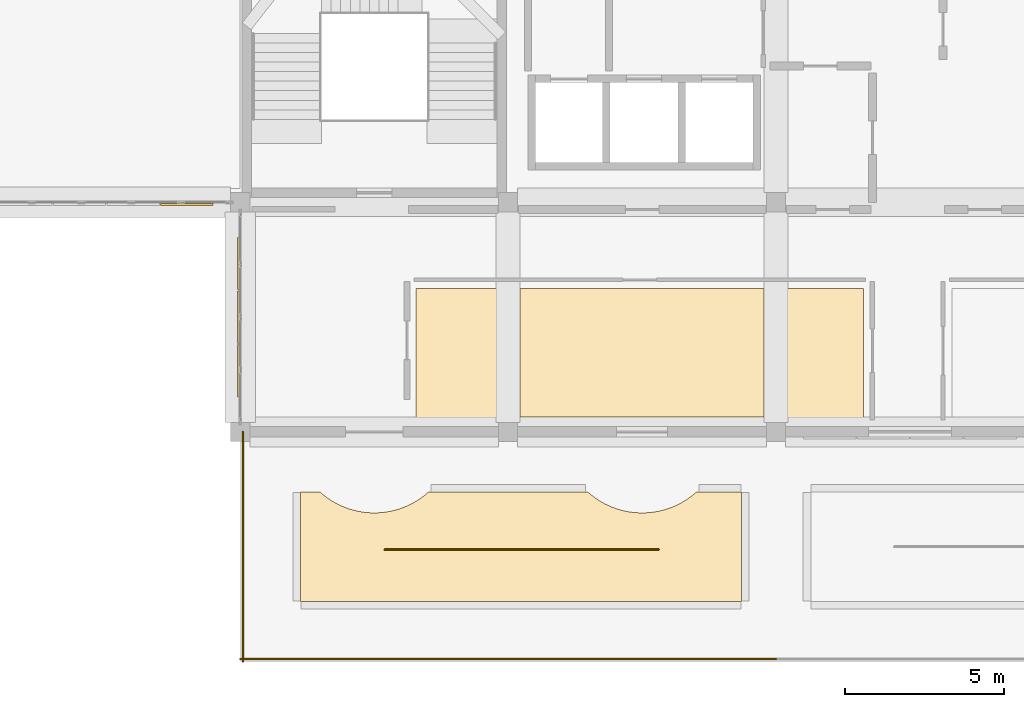
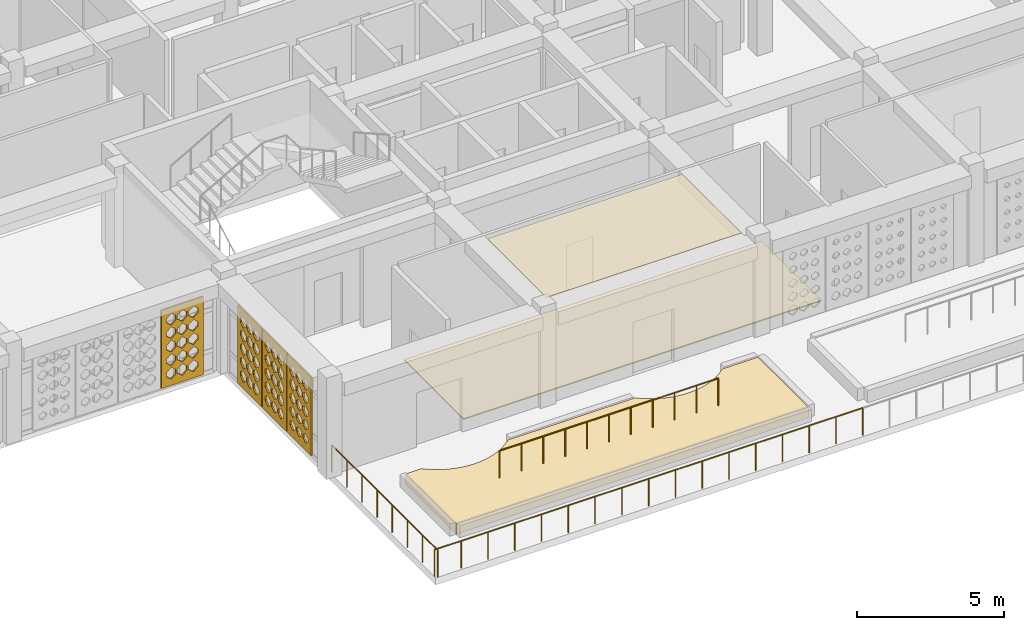
# One storey, part 35 of 48: 7 coverings, 4 railings.
"""IFC4 building model written with IfcOpenShell, lengths in metres."""

from ifc_helpers import new_model, si_unit, derived_unit, direction, frame, origin, origin_2d, place, context, subcontext, project, spatial, polyline, circle, outline, extrude, material, layer, layer_set, type_object, element, save


model = new_model("IFC4")

# Units and contexts
model_context = context("Model", 3, precision=1e-05, world=origin(), true_north=direction((0.0, 1.0)))
body_context = subcontext(model_context, "Body", "Model", "MODEL_VIEW")
ifc_project = project(units=[si_unit("LENGTHUNIT", "METRE"), si_unit("AREAUNIT", "SQUARE_METRE"), si_unit("VOLUMEUNIT", "CUBIC_METRE"), si_unit("PLANEANGLEUNIT", "RADIAN"), si_unit("MASSUNIT", "GRAM", prefix="KILO"), derived_unit("THERMALTRANSMITTANCEUNIT", [(si_unit("POWERUNIT", "WATT"), 1), (si_unit("LENGTHUNIT", "METRE"), -2), (si_unit("THERMODYNAMICTEMPERATUREUNIT", "KELVIN"), -1)])], contexts=[model_context])

# Site, building, storey
site_placement = place(None, origin())
site = spatial("IfcSite", under=ifc_project, at=site_placement, CompositionType="ELEMENT")
building_placement = place(site_placement, origin())
building = spatial("IfcBuilding", under=site, at=building_placement, Name="Veybourne Emporium", CompositionType="ELEMENT")
storey_placement = place(building_placement, frame((0.0, 0.0, 27.89990234375)))
storey = spatial("IfcBuildingStorey", under=building, at=storey_placement, Name="L06", CompositionType="ELEMENT", Elevation=27.89990234375)

# Coverings
ifc_material_1 = material(Name="Mineral Acoustic Ceiling", Category="gypsum")
ifc_layer_1 = layer(ifc_material_1, 0.02490234375)
ifc_layer_set_1 = layer_set([ifc_layer_1], Name="Mineral Acoustic Ceiling")
covering_type_1 = type_object("IfcCoveringType", Name="Ceiling_CLG-01", PredefinedType="CEILING", material=ifc_layer_set_1)
covering_1_placement = place(storey_placement, frame((0.0, 0.0, 3.885009765625)))
element("IfcCovering", 1, at=covering_1_placement, inside=storey, type_object=covering_type_1, Name="L06 coffered acoustic ceiling 01", PredefinedType="CEILING", context=body_context, shape_type="SweptSolid", body=[
    extrude(outline(polyline([(33.22705078125, 11.68994140625), (33.22705078125, 7.673095703125), (25.572998046875, 7.673095703125), (25.572998046875, 11.68994140625), (33.22705078125, 11.68994140625)])), origin(), (0.0, 0.0, 1.0), 0.025146484375),
])
ifc_material_2 = material(Name="Venetian Terrazzo Flooring", Category="masonry")
ifc_layer_2 = layer(ifc_material_2, 0.044921875)
ifc_layer_set_2 = layer_set([ifc_layer_2], Name="Venetian Terrazzo Flooring")
covering_type_2 = type_object("IfcCoveringType", Name="Flooring_FLR-01", PredefinedType="FLOORING", material=ifc_layer_set_2)
covering_2_placement = place(storey_placement, origin())
element("IfcCovering", 2, at=covering_2_placement, inside=storey, type_object=covering_type_2, Name="L06 floor finish 01", PredefinedType="FLOORING", context=body_context, shape_type="SweptSolid", body=[
    extrude(outline(polyline([(36.340087890625, 11.68994140625), (36.340087890625, 7.639892578125), (22.31005859375, 7.639892578125), (22.31005859375, 11.68994140625), (36.340087890625, 11.68994140625)])), origin(), (0.0, 0.0, 1.0), 0.045166015625),
])

# Railings
ifc_material_3 = material(Name="Patinated Architectural Bronze", Category="bronze")
railing_type = type_object("IfcRailingType", Name="Guard_GR-02", PredefinedType="GUARDRAIL", material=ifc_material_3)
railing_1_placement = place(storey_placement, frame((25.199951171875, 0.080078125, 0.0)))
element("IfcRailing", 3, at=railing_1_placement, inside=storey, type_object=railing_type, Name="L06 terrace perimeter guardrail 001", PredefinedType="GUARDRAIL", context=body_context, shape_type="SweptSolid", body=[
    extrude(circle(Radius=0.02392578125, at=origin_2d()), frame((0.0, 0.0, 1.1259765625), z_axis=(-1.0, 0.0, 0.0), x_axis=(0.0, -1.0, 0.0)), (0.0, 0.0, 1.0), 8.39990234375),
    extrude(circle(Radius=0.02099609375, at=origin_2d()), origin(), (0.0, 0.0, 1.0), 1.101806640625),
    extrude(circle(Radius=0.02099609375, at=origin_2d()), frame((-1.050048828125, 0.0, 0.0)), (0.0, 0.0, 1.0), 1.101806640625),
    extrude(circle(Radius=0.02099609375, at=origin_2d()), frame((-2.10009765625, 0.0, 0.0)), (0.0, 0.0, 1.0), 1.101806640625),
    extrude(circle(Radius=0.02099609375, at=origin_2d()), frame((-3.14990234375, 0.0, 0.0)), (0.0, 0.0, 1.0), 1.101806640625),
    extrude(circle(Radius=0.02099609375, at=origin_2d()), frame((-4.199951171875, 0.0, 0.0)), (0.0, 0.0, 1.0), 1.101806640625),
    extrude(circle(Radius=0.02099609375, at=origin_2d()), frame((-5.25, 0.0, 0.0)), (0.0, 0.0, 1.0), 1.101806640625),
    extrude(circle(Radius=0.02099609375, at=origin_2d()), frame((-6.2998046875, 0.0, 0.0)), (0.0, 0.0, 1.0), 1.101806640625),
    extrude(circle(Radius=0.02099609375, at=origin_2d()), frame((-7.349853515625, 0.0, 0.0)), (0.0, 0.0, 1.0), 1.101806640625),
    extrude(circle(Radius=0.02099609375, at=origin_2d()), frame((-8.39990234375, 0.0, 0.0)), (0.0, 0.0, 1.0), 1.101806640625),
])
railing_2_placement = place(storey_placement, frame((16.8798828125, 0.0, 0.0)))
element("IfcRailing", 4, at=railing_2_placement, inside=storey, type_object=railing_type, Name="L06 terrace perimeter guardrail 002", PredefinedType="GUARDRAIL", context=body_context, shape_type="SweptSolid", body=[
    extrude(circle(Radius=0.02392578125, at=origin_2d()), frame((0.0, 0.0, 1.1259765625), z_axis=(0.0, 1.0, 0.0), x_axis=(-1.0, 0.0, 0.0)), (0.0, 0.0, 1.0), 7.199951171875),
    extrude(circle(Radius=0.02099609375, at=origin_2d()), origin(), (0.0, 0.0, 1.0), 1.101806640625),
    extrude(circle(Radius=0.02099609375, at=origin_2d()), frame((0.0, 1.028564453125, 0.0)), (0.0, 0.0, 1.0), 1.101806640625),
    extrude(circle(Radius=0.02099609375, at=origin_2d()), frame((0.0, 2.05712890625, 0.0)), (0.0, 0.0, 1.0), 1.101806640625),
    extrude(circle(Radius=0.02099609375, at=origin_2d()), frame((0.0, 3.085693359375, 0.0)), (0.0, 0.0, 1.0), 1.101806640625),
    extrude(circle(Radius=0.02099609375, at=origin_2d()), frame((0.0, 4.1142578125, 0.0)), (0.0, 0.0, 1.0), 1.101806640625),
    extrude(circle(Radius=0.02099609375, at=origin_2d()), frame((0.0, 5.142822265625, 0.0)), (0.0, 0.0, 1.0), 1.101806640625),
    extrude(circle(Radius=0.02099609375, at=origin_2d()), frame((0.0, 6.17138671875, 0.0)), (0.0, 0.0, 1.0), 1.101806640625),
    extrude(circle(Radius=0.02099609375, at=origin_2d()), frame((0.0, 7.199951171875, 0.0)), (0.0, 0.0, 1.0), 1.101806640625),
])
railing_3_placement = place(storey_placement, frame((33.60009765625, 0.080078125, 0.0)))
element("IfcRailing", 5, at=railing_3_placement, inside=storey, type_object=railing_type, Name="L06 terrace perimeter guardrail 003", PredefinedType="GUARDRAIL", context=body_context, shape_type="SweptSolid", body=[
    extrude(circle(Radius=0.02392578125, at=origin_2d()), frame((0.0, 0.0, 1.1259765625), z_axis=(-1.0, 0.0, 0.0), x_axis=(0.0, -1.0, 0.0)), (0.0, 0.0, 1.0), 8.400146484375),
    extrude(circle(Radius=0.02099609375, at=origin_2d()), origin(), (0.0, 0.0, 1.0), 1.101806640625),
    extrude(circle(Radius=0.02099609375, at=origin_2d()), frame((-1.050048828125, 0.0, 0.0)), (0.0, 0.0, 1.0), 1.101806640625),
    extrude(circle(Radius=0.02099609375, at=origin_2d()), frame((-2.10009765625, 0.0, 0.0)), (0.0, 0.0, 1.0), 1.101806640625),
    extrude(circle(Radius=0.02099609375, at=origin_2d()), frame((-3.150146484375, 0.0, 0.0)), (0.0, 0.0, 1.0), 1.101806640625),
    extrude(circle(Radius=0.02099609375, at=origin_2d()), frame((-4.2001953125, 0.0, 0.0)), (0.0, 0.0, 1.0), 1.101806640625),
    extrude(circle(Radius=0.02099609375, at=origin_2d()), frame((-5.25, 0.0, 0.0)), (0.0, 0.0, 1.0), 1.101806640625),
    extrude(circle(Radius=0.02099609375, at=origin_2d()), frame((-6.300048828125, 0.0, 0.0)), (0.0, 0.0, 1.0), 1.101806640625),
    extrude(circle(Radius=0.02099609375, at=origin_2d()), frame((-7.35009765625, 0.0, 0.0)), (0.0, 0.0, 1.0), 1.101806640625),
    extrude(circle(Radius=0.02099609375, at=origin_2d()), frame((-8.400146484375, 0.0, 0.0)), (0.0, 0.0, 1.0), 1.101806640625),
])
railing_4_placement = place(storey_placement, frame((21.33154296875, 3.5087890625, 0.440185546875)))
element("IfcRailing", 6, at=railing_4_placement, inside=storey, type_object=railing_type, Name="L06 bronze roof-garden trellis balustrade 2.1", PredefinedType="GUARDRAIL", context=body_context, shape_type="SweptSolid", body=[
    extrude(circle(Radius=0.02392578125, at=origin_2d()), frame((0.0, 0.0, 1.1259765625), z_axis=(1.0, 0.0, 0.0), x_axis=(0.0, 1.0, 0.0)), (0.0, 0.0, 1.0), 8.580078125),
    extrude(circle(Radius=0.02099609375, at=origin_2d()), origin(), (0.0, 0.0, 1.0), 1.101806640625),
    extrude(circle(Radius=0.02099609375, at=origin_2d()), frame((0.85791015625, 0.0, 0.0)), (0.0, 0.0, 1.0), 1.101806640625),
    extrude(circle(Radius=0.02099609375, at=origin_2d()), frame((1.716064453125, 0.0, 0.0)), (0.0, 0.0, 1.0), 1.101806640625),
    extrude(circle(Radius=0.02099609375, at=origin_2d()), frame((2.573974609375, 0.0, 0.0)), (0.0, 0.0, 1.0), 1.101806640625),
    extrude(circle(Radius=0.02099609375, at=origin_2d()), frame((3.43212890625, 0.0, 0.0)), (0.0, 0.0, 1.0), 1.101806640625),
    extrude(circle(Radius=0.02099609375, at=origin_2d()), frame((4.2900390625, 0.0, 0.0)), (0.0, 0.0, 1.0), 1.101806640625),
    extrude(circle(Radius=0.02099609375, at=origin_2d()), frame((5.14794921875, 0.0, 0.0)), (0.0, 0.0, 1.0), 1.101806640625),
    extrude(circle(Radius=0.02099609375, at=origin_2d()), frame((6.006103515625, 0.0, 0.0)), (0.0, 0.0, 1.0), 1.101806640625),
    extrude(circle(Radius=0.02099609375, at=origin_2d()), frame((6.864013671875, 0.0, 0.0)), (0.0, 0.0, 1.0), 1.101806640625),
    extrude(circle(Radius=0.02099609375, at=origin_2d()), frame((7.72216796875, 0.0, 0.0)), (0.0, 0.0, 1.0), 1.101806640625),
    extrude(circle(Radius=0.02099609375, at=origin_2d()), frame((8.580078125, 0.0, 0.0)), (0.0, 0.0, 1.0), 1.101806640625),
])

# Coverings
ifc_material_4 = material(Name="Intensive Green Roof Build-up", Category="membrane")
ifc_layer_3 = layer(ifc_material_4, 0.43994140625)
ifc_layer_set_3 = layer_set([ifc_layer_3], Name="Intensive Green Roof Build-up")
covering_type_3 = type_object("IfcCoveringType", Name="Roofing_RFG-02", PredefinedType="ROOFING", material=ifc_layer_set_3)
covering_3_placement = place(storey_placement, origin())
element("IfcCovering", 7, at=covering_3_placement, inside=storey, type_object=covering_type_3, Name="L06 intensive planted garden bed 2.1", PredefinedType="ROOFING", context=body_context, shape_type="SweptSolid", body=[
    extrude(outline(polyline([(19.3056640625, 5.31005859375), (19.3525390625, 5.267578125), (19.426025390625, 5.20703125), (19.5498046875, 5.115478515625), (19.62890625, 5.0625), (19.76123046875, 4.983154296875), (19.84521484375, 4.9384765625), (19.984375, 4.87255859375), (20.072265625, 4.836181640625), (20.217529296875, 4.7841796875), (20.30859375, 4.756591796875), (20.4580078125, 4.718994140625), (20.55126953125, 4.700439453125), (20.703857421875, 4.677978515625), (20.798583984375, 4.668701171875), (20.952392578125, 4.6611328125), (21.047607421875, 4.6611328125), (21.201416015625, 4.668701171875), (21.296142578125, 4.677978515625), (21.44873046875, 4.700439453125), (21.5419921875, 4.718994140625), (21.69140625, 4.756591796875), (21.782470703125, 4.7841796875), (21.927734375, 4.836181640625), (22.015625, 4.87255859375), (22.15478515625, 4.9384765625), (22.23876953125, 4.983154296875), (22.37109375, 5.0625), (22.4501953125, 5.115478515625), (22.573974609375, 5.20703125), (22.6474609375, 5.267578125), (22.6943359375, 5.31005859375), (27.70556640625, 5.31005859375), (27.75244140625, 5.267578125), (27.826171875, 5.20703125), (27.949951171875, 5.115478515625), (28.029052734375, 5.0625), (28.1611328125, 4.983154296875), (28.2451171875, 4.9384765625), (28.384521484375, 4.87255859375), (28.472412109375, 4.836181640625), (28.617431640625, 4.7841796875), (28.70849609375, 4.756591796875), (28.85791015625, 4.718994140625), (28.951416015625, 4.700439453125), (29.103759765625, 4.677978515625), (29.198486328125, 4.668701171875), (29.352294921875, 4.6611328125), (29.447509765625, 4.6611328125), (29.6015625, 4.668701171875), (29.6962890625, 4.677978515625), (29.8486328125, 4.700439453125), (29.94189453125, 4.718994140625), (30.091552734375, 4.756591796875), (30.1826171875, 4.7841796875), (30.32763671875, 4.836181640625), (30.41552734375, 4.87255859375), (30.554931640625, 4.9384765625), (30.638916015625, 4.983154296875), (30.77099609375, 5.0625), (30.85009765625, 5.115478515625), (30.973876953125, 5.20703125), (31.047607421875, 5.267578125), (31.09423828125, 5.31005859375), (32.510009765625, 5.31005859375), (32.510009765625, 1.889892578125), (18.68994140625, 1.889892578125), (18.68994140625, 5.31005859375), (19.3056640625, 5.31005859375)])), origin(), (0.0, 0.0, 1.0), 0.440185546875),
])
ifc_material_5 = material(Name="Warm-White Perforated Aluminium Screen Alloy", Category="aluminium")
ifc_layer_4 = layer(ifc_material_5, 0.06005859375)
ifc_layer_set_4 = layer_set([ifc_layer_4], Name="Warm-White Perforated Aluminium Screen Alloy")
covering_type_4 = type_object("IfcCoveringType", Name="WaveScreen_SCR-01", PredefinedType="CLADDING", material=ifc_layer_set_4)
covering_4_placement = place(storey_placement, frame((16.70703125, 12.47998046875, 1.68017578125), z_axis=(1.0, 0.0, 0.0), x_axis=(0.0, 1.0, 0.0)))
element("IfcCovering", 8, at=covering_4_placement, inside=storey, type_object=covering_type_4, Name="L06 wave-perforated aluminium screen SCR-01 (11C.3)", PredefinedType="CLADDING", context=body_context, shape_type="SweptSolid", body=[
    extrude(outline(polyline([(-0.81982421875, -1.6201171875), (0.81982421875, -1.6201171875), (0.81982421875, 1.6201171875), (-0.81982421875, 1.6201171875), (-0.81982421875, -1.6201171875)]), holes=[polyline([(-0.433349609375, -0.882080078125), (-0.2470703125, -1.0341796875), (-0.2470703125, -1.205810546875), (-0.433349609375, -1.35791015625), (-0.61962890625, -1.205810546875), (-0.61962890625, -1.0341796875), (-0.433349609375, -0.882080078125)]), polyline([(-0.433349609375, -0.319091796875), (-0.2470703125, -0.473388671875), (-0.2470703125, -0.646728515625), (-0.433349609375, -0.80078125), (-0.61962890625, -0.646728515625), (-0.61962890625, -0.473388671875), (-0.433349609375, -0.319091796875)]), polyline([(-0.433349609375, 0.24072265625), (-0.2470703125, 0.086669921875), (-0.2470703125, -0.086669921875), (-0.433349609375, -0.24072265625), (-0.61962890625, -0.086669921875), (-0.61962890625, 0.086669921875), (-0.433349609375, 0.24072265625)]), polyline([(-0.433349609375, 0.80078125), (-0.2470703125, 0.646728515625), (-0.2470703125, 0.473388671875), (-0.433349609375, 0.319091796875), (-0.61962890625, 0.473388671875), (-0.61962890625, 0.646728515625), (-0.433349609375, 0.80078125)]), polyline([(-0.433349609375, 1.36083984375), (-0.2470703125, 1.206787109375), (-0.2470703125, 1.033203125), (-0.433349609375, 0.879150390625), (-0.61962890625, 1.033203125), (-0.61962890625, 1.206787109375), (-0.433349609375, 1.36083984375)]), polyline([(0.0, -0.879150390625), (0.186279296875, -1.033203125), (0.186279296875, -1.206787109375), (0.0, -1.36083984375), (-0.186279296875, -1.206787109375), (-0.186279296875, -1.033203125), (0.0, -0.879150390625)]), polyline([(0.0, -0.319091796875), (0.186279296875, -0.473388671875), (0.186279296875, -0.646728515625), (0.0, -0.80078125), (-0.186279296875, -0.646728515625), (-0.186279296875, -0.473388671875), (0.0, -0.319091796875)]), polyline([(0.0, 0.24072265625), (0.186279296875, 0.086669921875), (0.186279296875, -0.086669921875), (0.0, -0.24072265625), (-0.186279296875, -0.086669921875), (-0.186279296875, 0.086669921875), (0.0, 0.24072265625)]), polyline([(0.0, 0.80078125), (0.186279296875, 0.646728515625), (0.186279296875, 0.473388671875), (0.0, 0.319091796875), (-0.186279296875, 0.473388671875), (-0.186279296875, 0.646728515625), (0.0, 0.80078125)]), polyline([(0.0, 1.36083984375), (0.186279296875, 1.206787109375), (0.186279296875, 1.033203125), (0.0, 0.879150390625), (-0.186279296875, 1.033203125), (-0.186279296875, 1.206787109375), (0.0, 1.36083984375)]), polyline([(0.433349609375, -0.879150390625), (0.61962890625, -1.033203125), (0.61962890625, -1.206787109375), (0.433349609375, -1.36083984375), (0.2470703125, -1.206787109375), (0.2470703125, -1.033203125), (0.433349609375, -0.879150390625)]), polyline([(0.433349609375, -0.319091796875), (0.61962890625, -0.473388671875), (0.61962890625, -0.646728515625), (0.433349609375, -0.80078125), (0.2470703125, -0.646728515625), (0.2470703125, -0.473388671875), (0.433349609375, -0.319091796875)]), polyline([(0.433349609375, 0.24072265625), (0.61962890625, 0.086669921875), (0.61962890625, -0.086669921875), (0.433349609375, -0.24072265625), (0.2470703125, -0.086669921875), (0.2470703125, 0.086669921875), (0.433349609375, 0.24072265625)]), polyline([(0.433349609375, 0.80078125), (0.61962890625, 0.646728515625), (0.61962890625, 0.473388671875), (0.433349609375, 0.319091796875), (0.2470703125, 0.473388671875), (0.2470703125, 0.646728515625), (0.433349609375, 0.80078125)]), polyline([(0.433349609375, 1.36083984375), (0.61962890625, 1.206787109375), (0.61962890625, 1.033203125), (0.433349609375, 0.879150390625), (0.2470703125, 1.033203125), (0.2470703125, 1.206787109375), (0.433349609375, 1.36083984375)])]), origin(), (0.0, 0.0, 1.0), 0.06005859375),
])
ifc_layer_5 = layer(ifc_material_5, 0.06005859375)
ifc_layer_set_5 = layer_set([ifc_layer_5], Name="Warm-White Perforated Aluminium Screen Alloy")
covering_type_5 = type_object("IfcCoveringType", Name="WaveScreen_SCR-03", PredefinedType="CLADDING", material=ifc_layer_set_5)
covering_5_placement = place(storey_placement, frame((16.70703125, 9.1201171875, 1.68017578125), z_axis=(1.0, 0.0, 0.0), x_axis=(0.0, 1.0, 0.0)))
element("IfcCovering", 9, at=covering_5_placement, inside=storey, type_object=covering_type_5, Name="L06 wave-perforated aluminium screen SCR-03 (11C.1)", PredefinedType="CLADDING", context=body_context, shape_type="SweptSolid", body=[
    extrude(outline(polyline([(-0.81982421875, -1.6201171875), (0.81982421875, -1.6201171875), (0.81982421875, 1.6201171875), (-0.81982421875, 1.6201171875), (-0.81982421875, -1.6201171875)]), holes=[polyline([(-0.433349609375, -0.92919921875), (-0.267333984375, -1.05126953125), (-0.267333984375, -1.188720703125), (-0.433349609375, -1.310791015625), (-0.599365234375, -1.188720703125), (-0.599365234375, -1.05126953125), (-0.433349609375, -0.92919921875)]), polyline([(-0.433349609375, -0.3564453125), (-0.256591796875, -0.48681640625), (-0.256591796875, -0.63330078125), (-0.433349609375, -0.763671875), (-0.610107421875, -0.63330078125), (-0.610107421875, -0.48681640625), (-0.433349609375, -0.3564453125)]), polyline([(-0.433349609375, 0.21630859375), (-0.2470703125, 0.077880859375), (-0.2470703125, -0.077880859375), (-0.433349609375, -0.21630859375), (-0.61962890625, -0.077880859375), (-0.61962890625, 0.077880859375), (-0.433349609375, 0.21630859375)]), polyline([(-0.433349609375, 0.788330078125), (-0.2470703125, 0.64208984375), (-0.2470703125, 0.477783203125), (-0.433349609375, 0.331787109375), (-0.61962890625, 0.477783203125), (-0.61962890625, 0.64208984375), (-0.433349609375, 0.788330078125)]), polyline([(-0.433349609375, 1.359619140625), (-0.2470703125, 1.206298828125), (-0.2470703125, 1.03369140625), (-0.433349609375, 0.880615234375), (-0.61962890625, 1.03369140625), (-0.61962890625, 1.206298828125), (-0.433349609375, 1.359619140625)]), polyline([(0.0, -0.9228515625), (0.17138671875, -1.049072265625), (0.17138671875, -1.19091796875), (0.0, -1.317138671875), (-0.17138671875, -1.19091796875), (-0.17138671875, -1.049072265625), (0.0, -0.9228515625)]), polyline([(0.0, -0.35009765625), (0.181884765625, -0.484375), (0.181884765625, -0.635498046875), (0.0, -0.77001953125), (-0.181884765625, -0.635498046875), (-0.181884765625, -0.484375), (0.0, -0.35009765625)]), polyline([(0.0, 0.222412109375), (0.186279296875, 0.080078125), (0.186279296875, -0.080078125), (0.0, -0.222412109375), (-0.186279296875, -0.080078125), (-0.186279296875, 0.080078125), (0.0, 0.222412109375)]), polyline([(0.0, 0.7939453125), (0.186279296875, 0.644287109375), (0.186279296875, 0.475830078125), (0.0, 0.325927734375), (-0.186279296875, 0.475830078125), (-0.186279296875, 0.644287109375), (0.0, 0.7939453125)]), polyline([(0.0, 1.36083984375), (0.186279296875, 1.206787109375), (0.186279296875, 1.033203125), (0.0, 0.879150390625), (-0.186279296875, 1.033203125), (-0.186279296875, 1.206787109375), (0.0, 1.36083984375)]), polyline([(0.433349609375, -0.91650390625), (0.60986328125, -1.046630859375), (0.60986328125, -1.193359375), (0.433349609375, -1.323486328125), (0.2568359375, -1.193359375), (0.2568359375, -1.046630859375), (0.433349609375, -0.91650390625)]), polyline([(0.433349609375, -0.34375), (0.61962890625, -0.482177734375), (0.61962890625, -0.6376953125), (0.433349609375, -0.776123046875), (0.2470703125, -0.6376953125), (0.2470703125, -0.482177734375), (0.433349609375, -0.34375)]), polyline([(0.433349609375, 0.228271484375), (0.61962890625, 0.082275390625), (0.61962890625, -0.082275390625), (0.433349609375, -0.228271484375), (0.2470703125, -0.082275390625), (0.2470703125, 0.082275390625), (0.433349609375, 0.228271484375)]), polyline([(0.433349609375, 0.79931640625), (0.61962890625, 0.646240234375), (0.61962890625, 0.473876953125), (0.433349609375, 0.320556640625), (0.2470703125, 0.473876953125), (0.2470703125, 0.646240234375), (0.433349609375, 0.79931640625)]), polyline([(0.433349609375, 1.36083984375), (0.61962890625, 1.206787109375), (0.61962890625, 1.033203125), (0.433349609375, 0.879150390625), (0.2470703125, 1.033203125), (0.2470703125, 1.206787109375), (0.433349609375, 1.36083984375)])]), origin(), (0.0, 0.0, 1.0), 0.06005859375),
])
ifc_layer_6 = layer(ifc_material_5, 0.06005859375)
ifc_layer_set_6 = layer_set([ifc_layer_6], Name="Warm-White Perforated Aluminium Screen Alloy")
covering_type_6 = type_object("IfcCoveringType", Name="WaveScreen_SCR-04", PredefinedType="CLADDING", material=ifc_layer_set_6)
covering_6_placement = place(storey_placement, frame((15.1201171875, 14.302978515625, 1.68017578125), z_axis=(0.0, 1.0, 0.0), x_axis=(-1.0, 0.0, 0.0)))
element("IfcCovering", 10, at=covering_6_placement, inside=storey, type_object=covering_type_6, Name="L06 wave-perforated aluminium screen SCR-04 (8C.1)", PredefinedType="CLADDING", context=body_context, shape_type="SweptSolid", body=[
    extrude(outline(polyline([(-0.81982421875, -1.6201171875), (0.81982421875, -1.6201171875), (0.81982421875, 1.6201171875), (-0.81982421875, 1.6201171875), (-0.81982421875, -1.6201171875)]), holes=[polyline([(-0.433349609375, -0.879150390625), (-0.2470703125, -1.033203125), (-0.2470703125, -1.206787109375), (-0.433349609375, -1.36083984375), (-0.61962890625, -1.206787109375), (-0.61962890625, -1.033203125), (-0.433349609375, -0.879150390625)]), polyline([(-0.433349609375, -0.319091796875), (-0.2470703125, -0.473388671875), (-0.2470703125, -0.646728515625), (-0.433349609375, -0.80078125), (-0.61962890625, -0.646728515625), (-0.61962890625, -0.473388671875), (-0.433349609375, -0.319091796875)]), polyline([(-0.433349609375, 0.24072265625), (-0.2470703125, 0.086669921875), (-0.2470703125, -0.086669921875), (-0.433349609375, -0.24072265625), (-0.61962890625, -0.086669921875), (-0.61962890625, 0.086669921875), (-0.433349609375, 0.24072265625)]), polyline([(-0.433349609375, 0.80078125), (-0.2470703125, 0.646728515625), (-0.2470703125, 0.473388671875), (-0.433349609375, 0.319091796875), (-0.61962890625, 0.473388671875), (-0.61962890625, 0.646728515625), (-0.433349609375, 0.80078125)]), polyline([(-0.433349609375, 1.36083984375), (-0.2470703125, 1.206787109375), (-0.2470703125, 1.033203125), (-0.433349609375, 0.879150390625), (-0.61962890625, 1.033203125), (-0.61962890625, 1.206787109375), (-0.433349609375, 1.36083984375)]), polyline([(0.0, -0.879150390625), (0.186279296875, -1.033203125), (0.186279296875, -1.206787109375), (0.0, -1.36083984375), (-0.186279296875, -1.206787109375), (-0.186279296875, -1.033203125), (0.0, -0.879150390625)]), polyline([(0.0, -0.319091796875), (0.186279296875, -0.473388671875), (0.186279296875, -0.646728515625), (0.0, -0.80078125), (-0.186279296875, -0.646728515625), (-0.186279296875, -0.473388671875), (0.0, -0.319091796875)]), polyline([(0.0, 0.24072265625), (0.186279296875, 0.086669921875), (0.186279296875, -0.086669921875), (0.0, -0.24072265625), (-0.186279296875, -0.086669921875), (-0.186279296875, 0.086669921875), (0.0, 0.24072265625)]), polyline([(0.0, 0.80078125), (0.186279296875, 0.646728515625), (0.186279296875, 0.473388671875), (0.0, 0.319091796875), (-0.186279296875, 0.473388671875), (-0.186279296875, 0.646728515625), (0.0, 0.80078125)]), polyline([(0.0, 1.36083984375), (0.186279296875, 1.206787109375), (0.186279296875, 1.033203125), (0.0, 0.879150390625), (-0.186279296875, 1.033203125), (-0.186279296875, 1.206787109375), (0.0, 1.36083984375)]), polyline([(0.433349609375, -0.879150390625), (0.61962890625, -1.033203125), (0.61962890625, -1.206787109375), (0.433349609375, -1.36083984375), (0.2470703125, -1.206787109375), (0.2470703125, -1.033203125), (0.433349609375, -0.879150390625)]), polyline([(0.433349609375, -0.319091796875), (0.61962890625, -0.473388671875), (0.61962890625, -0.646728515625), (0.433349609375, -0.80078125), (0.2470703125, -0.646728515625), (0.2470703125, -0.473388671875), (0.433349609375, -0.319091796875)]), polyline([(0.433349609375, 0.24072265625), (0.61962890625, 0.086669921875), (0.61962890625, -0.086669921875), (0.433349609375, -0.24072265625), (0.2470703125, -0.086669921875), (0.2470703125, 0.086669921875), (0.433349609375, 0.24072265625)]), polyline([(0.433349609375, 0.80078125), (0.61962890625, 0.646728515625), (0.61962890625, 0.473388671875), (0.433349609375, 0.319091796875), (0.2470703125, 0.473388671875), (0.2470703125, 0.646728515625), (0.433349609375, 0.80078125)]), polyline([(0.433349609375, 1.36083984375), (0.61962890625, 1.206787109375), (0.61962890625, 1.033203125), (0.433349609375, 0.879150390625), (0.2470703125, 1.033203125), (0.2470703125, 1.206787109375), (0.433349609375, 1.36083984375)])]), origin(), (0.0, 0.0, 1.0), 0.06005859375),
])
covering_7_placement = place(storey_placement, frame((16.70703125, 10.800048828125, 1.68017578125), z_axis=(1.0, 0.0, 0.0), x_axis=(0.0, 1.0, 0.0)))
element("IfcCovering", 11, at=covering_7_placement, inside=storey, type_object=covering_type_6, Name="L06 wave-perforated aluminium screen SCR-04 (11C.2)", PredefinedType="CLADDING", context=body_context, shape_type="SweptSolid", body=[
    extrude(outline(polyline([(-0.81982421875, -1.6201171875), (0.81982421875, -1.6201171875), (0.81982421875, 1.6201171875), (-0.81982421875, 1.6201171875), (-0.81982421875, -1.6201171875)]), holes=[polyline([(-0.433349609375, -0.904541015625), (-0.2470703125, -1.04248046875), (-0.2470703125, -1.197509765625), (-0.433349609375, -1.33544921875), (-0.61962890625, -1.197509765625), (-0.61962890625, -1.04248046875), (-0.433349609375, -0.904541015625)]), polyline([(-0.433349609375, -0.33251953125), (-0.2470703125, -0.47802734375), (-0.2470703125, -0.641845703125), (-0.433349609375, -0.78759765625), (-0.61962890625, -0.641845703125), (-0.61962890625, -0.47802734375), (-0.433349609375, -0.33251953125)]), polyline([(-0.433349609375, 0.23876953125), (-0.2470703125, 0.0859375), (-0.2470703125, -0.0859375), (-0.433349609375, -0.23876953125), (-0.61962890625, -0.0859375), (-0.61962890625, 0.0859375), (-0.433349609375, 0.23876953125)]), polyline([(-0.433349609375, 0.80078125), (-0.2470703125, 0.646728515625), (-0.2470703125, 0.473388671875), (-0.433349609375, 0.319091796875), (-0.61962890625, 0.473388671875), (-0.61962890625, 0.646728515625), (-0.433349609375, 0.80078125)]), polyline([(-0.433349609375, 1.36083984375), (-0.2470703125, 1.206787109375), (-0.2470703125, 1.033203125), (-0.433349609375, 0.879150390625), (-0.61962890625, 1.033203125), (-0.61962890625, 1.206787109375), (-0.433349609375, 1.36083984375)]), polyline([(0.0, -0.8984375), (0.186279296875, -1.040283203125), (0.186279296875, -1.19970703125), (0.0, -1.341552734375), (-0.186279296875, -1.19970703125), (-0.186279296875, -1.040283203125), (0.0, -0.8984375)]), polyline([(0.0, -0.326904296875), (0.186279296875, -0.47607421875), (0.186279296875, -0.64404296875), (0.0, -0.793212890625), (-0.186279296875, -0.64404296875), (-0.186279296875, -0.47607421875), (0.0, -0.326904296875)]), polyline([(0.0, 0.24072265625), (0.186279296875, 0.086669921875), (0.186279296875, -0.086669921875), (0.0, -0.24072265625), (-0.186279296875, -0.086669921875), (-0.186279296875, 0.086669921875), (0.0, 0.24072265625)]), polyline([(0.0, 0.80078125), (0.186279296875, 0.646728515625), (0.186279296875, 0.473388671875), (0.0, 0.319091796875), (-0.186279296875, 0.473388671875), (-0.186279296875, 0.646728515625), (0.0, 0.80078125)]), polyline([(0.0, 1.36083984375), (0.186279296875, 1.206787109375), (0.186279296875, 1.033203125), (0.0, 0.879150390625), (-0.186279296875, 1.033203125), (-0.186279296875, 1.206787109375), (0.0, 1.36083984375)]), polyline([(0.433349609375, -0.892578125), (0.61962890625, -1.0380859375), (0.61962890625, -1.201904296875), (0.433349609375, -1.347412109375), (0.2470703125, -1.201904296875), (0.2470703125, -1.0380859375), (0.433349609375, -0.892578125)]), polyline([(0.433349609375, -0.3212890625), (0.61962890625, -0.47412109375), (0.61962890625, -0.64599609375), (0.433349609375, -0.798583984375), (0.2470703125, -0.64599609375), (0.2470703125, -0.47412109375), (0.433349609375, -0.3212890625)]), polyline([(0.433349609375, 0.24072265625), (0.61962890625, 0.086669921875), (0.61962890625, -0.086669921875), (0.433349609375, -0.24072265625), (0.2470703125, -0.086669921875), (0.2470703125, 0.086669921875), (0.433349609375, 0.24072265625)]), polyline([(0.433349609375, 0.80078125), (0.61962890625, 0.646728515625), (0.61962890625, 0.473388671875), (0.433349609375, 0.319091796875), (0.2470703125, 0.473388671875), (0.2470703125, 0.646728515625), (0.433349609375, 0.80078125)]), polyline([(0.433349609375, 1.36083984375), (0.61962890625, 1.206787109375), (0.61962890625, 1.033203125), (0.433349609375, 0.879150390625), (0.2470703125, 1.033203125), (0.2470703125, 1.206787109375), (0.433349609375, 1.36083984375)])]), origin(), (0.0, 0.0, 1.0), 0.06005859375),
])

save(model, "model.ifc")
